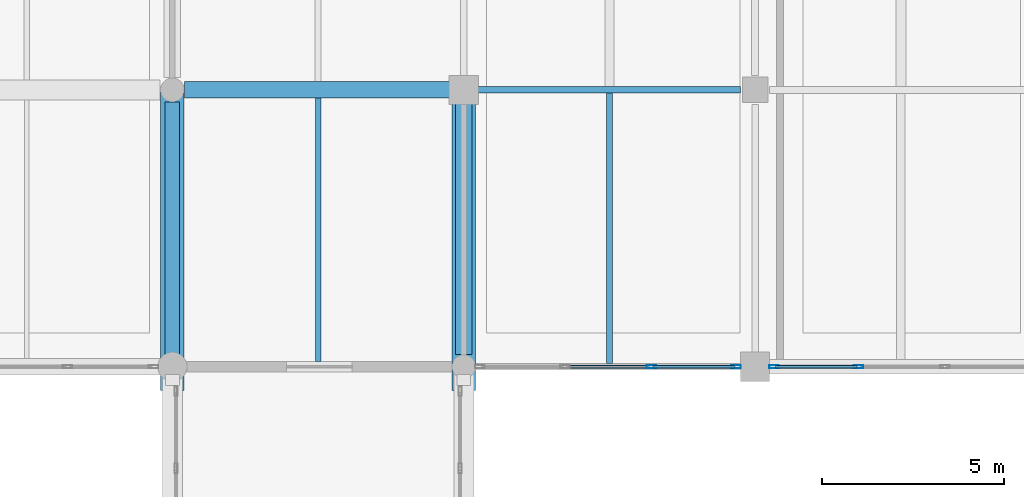
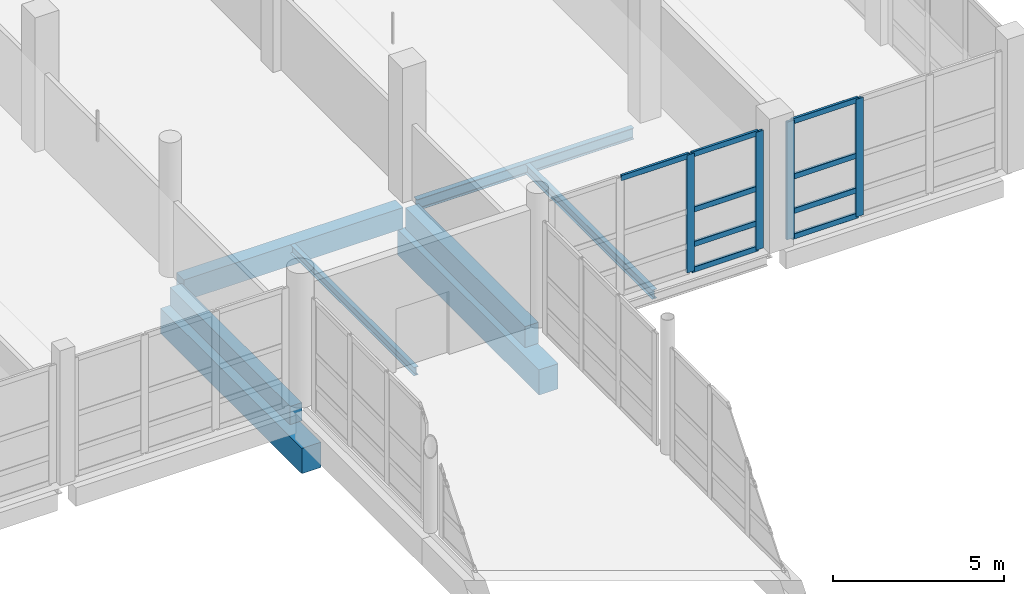
# One storey, part 60 of 147: 13 members, 8 beams, 2 elements without a shape of their own.
"""IFC4 building model written with IfcOpenShell, lengths in metres."""

from ifc_helpers import new_model, si_unit, direction, frame, origin, origin_2d, place, context, subcontext, project, spatial, rectangle, hollow_rectangle, i_section, extrude, material, material_profile, profile_set, type_object, element, aggregate, save


model = new_model("IFC4")

# Units and contexts
model_context = context("Model", 3, precision=1e-05, world=origin(), true_north=direction((0.0, 1.0)))
body_context = subcontext(model_context, "Body", "Model", "MODEL_VIEW")
ifc_project = project(units=[si_unit("LENGTHUNIT", "METRE"), si_unit("AREAUNIT", "SQUARE_METRE"), si_unit("VOLUMEUNIT", "CUBIC_METRE"), si_unit("PLANEANGLEUNIT", "RADIAN"), si_unit("MASSUNIT", "GRAM", prefix="KILO")], contexts=[model_context])

# Site, building, storey
site_placement = place(None, origin())
site = spatial("IfcSite", under=ifc_project, at=site_placement, CompositionType="ELEMENT")
building_placement = place(site_placement, origin())
building = spatial("IfcBuilding", under=site, at=building_placement, Name="Khelvaren Railside Concert Hall", CompositionType="ELEMENT")
storey_placement = place(building_placement, frame((0.0, 0.0, 5.39990234375)))
storey = spatial("IfcBuildingStorey", under=building, at=storey_placement, Name="L01", CompositionType="ELEMENT", Elevation=5.39990234375)

# Beams
ifc_material_1 = material(Name="Concrete C40/50", Category="concrete")
ifc_material_profile_1 = material_profile(ifc_material_1, rectangle(XDim=0.64990234375, YDim=0.89990234375, at=origin_2d()), Name="RCB 650x900")
ifc_profile_set_1 = profile_set([ifc_material_profile_1], Name="Concrete C40/50")
beam_type_1 = type_object("IfcBeamType", Name="BM18", PredefinedType="BEAM", material=ifc_profile_set_1)
for number, where, z_axis, x_axis, name in (
    (1, (160.0, 82.949951171875, -1.659912109375), (0.0, 1.0, 0.0), (-1.0, 0.0, 0.0), "East Backstage Artist Link Bridge L01 Seismic Corbel Seat 1"),
    (2, (168.0, 82.949951171875, -1.659912109375), (0.0, 1.0, 0.0), (-1.0, 0.0, 0.0), "East Backstage Artist Link Bridge L01 Seismic Corbel Seat 2"),
):
    element("IfcBeam", number, at=place(storey_placement, frame(where, z_axis=z_axis, x_axis=x_axis)), inside=storey, type_object=beam_type_1, Name=name, PredefinedType="BEAM", context=body_context, shape_type="SweptSolid", body=[
        extrude(rectangle(XDim=0.64990234375, YDim=0.89990234375, at=origin_2d()), origin(), (0.0, 0.0, 1.0), 8.25),
    ])
ifc_material_2 = material(Name="Steel S355", Category="steel")
ifc_material_profile_2 = material_profile(ifc_material_2, i_section(OverallWidth=0.179931640625, OverallDepth=0.39990234375, WebThickness=0.008544921875, FlangeThickness=0.013427734375, FilletRadius=0.02099609375, at=origin_2d()), Name="IPE 400")
ifc_profile_set_2 = profile_set([ifc_material_profile_2], Name="Steel S355")
beam_type_2 = type_object("IfcBeamType", Name="BM29", PredefinedType="BEAM", material=ifc_profile_set_2)
beam_1_placement = place(storey_placement, frame((168.27294921875, 91.199951171875, -0.5), z_axis=(1.0, 0.0, 0.0), x_axis=(0.0, 1.0, 0.0)))
element("IfcBeam", 3, at=beam_1_placement, inside=storey, type_object=beam_type_2, Name="V5 L01 Beam X2.6", PredefinedType="BEAM", context=body_context, shape_type="SweptSolid", body=[
    extrude(i_section(OverallWidth=0.179931640625, OverallDepth=0.39990234375, WebThickness=0.008544921875, FlangeThickness=0.013427734375, FilletRadius=0.02099609375, at=origin_2d()), origin(), (0.0, 0.0, 1.0), 7.3271484375),
])
ifc_material_profile_3 = material_profile(ifc_material_1, rectangle(XDim=0.39990234375, YDim=0.64990234375, at=origin_2d()), Name="RCB 400x650")
ifc_profile_set_3 = profile_set([ifc_material_profile_3], Name="Concrete C40/50")
beam_type_3 = type_object("IfcBeamType", Name="BM33", PredefinedType="BEAM", material=ifc_profile_set_3)
beam_2_placement = place(storey_placement, frame((160.0, 83.85009765625, -0.625), z_axis=(0.0, 1.0, 0.0), x_axis=(-1.0, 0.0, 0.0)))
element("IfcBeam", 4, at=beam_2_placement, inside=storey, type_object=beam_type_3, Name="V5 L01 Beam Y5.1", PredefinedType="BEAM", context=body_context, shape_type="SweptSolid", body=[
    extrude(rectangle(XDim=0.39990234375, YDim=0.64990234375, at=origin_2d()), origin(), (0.0, 0.0, 1.0), 7.013916015625),
])
ifc_material_profile_4 = material_profile(ifc_material_1, rectangle(XDim=0.449951171875, YDim=0.75, at=origin_2d()), Name="RCB 450x750")
ifc_profile_set_4 = profile_set([ifc_material_profile_4], Name="Concrete C40/50")
beam_type_4 = type_object("IfcBeamType", Name="BM83", PredefinedType="BEAM", material=ifc_profile_set_4)
beam_3_placement = place(storey_placement, frame((160.3359375, 91.199951171875, -0.6748046875), z_axis=(1.0, 0.0, 0.0), x_axis=(0.0, 1.0, 0.0)))
element("IfcBeam", 5, at=beam_3_placement, inside=storey, type_object=beam_type_4, Name="V5 L01 Beam X2.5", PredefinedType="BEAM", context=body_context, shape_type="SweptSolid", body=[
    extrude(rectangle(XDim=0.449951171875, YDim=0.75, at=origin_2d()), origin(), (0.0, 0.0, 1.0), 7.39111328125),
])
beam_4_placement = place(storey_placement, frame((168.0, 83.93603515625, -0.6748046875), z_axis=(0.0, 1.0, 0.0), x_axis=(-1.0, 0.0, 0.0)))
element("IfcBeam", 6, at=beam_4_placement, inside=storey, type_object=beam_type_4, Name="V5 L01 Beam Y6.1", PredefinedType="BEAM", context=body_context, shape_type="SweptSolid", body=[
    extrude(rectangle(XDim=0.449951171875, YDim=0.75, at=origin_2d()), origin(), (0.0, 0.0, 1.0), 6.990966796875),
])

# Curtain wall, members
ifc_material_3 = material(Name="Acoustic laminated crystal facade glass", Category="glass")
curtain_wall_type_1 = type_object("IfcCurtainWallType", Name="CW15", PredefinedType="USERDEFINED", material=ifc_material_3)
curtain_wall_1_placement = place(storey_placement, origin())
curtain_wall_1 = element("IfcCurtainWall", 7, at=curtain_wall_1_placement, inside=storey, type_object=curtain_wall_type_1, Name="Unitised Curtain Wall CW-V5-L01-S-168", ObjectType="UNITISED CURTAIN WALL", PredefinedType="USERDEFINED")
ifc_material_4 = material(Name="Anodised architectural aluminium 6063-T6", Category="aluminium")
ifc_material_profile_5 = material_profile(ifc_material_4, hollow_rectangle(XDim=0.0849609375, YDim=0.260009765625, WallThickness=0.0048828125, InnerFilletRadius=0.0029296875, OuterFilletRadius=0.0048828125, at=origin_2d()), Name="CWM 85x260x5")
ifc_profile_set_5 = profile_set([ifc_material_profile_5], Name="Anodised architectural aluminium 6063-T6")
member_type_1 = type_object("IfcMemberType", Name="CWM40", PredefinedType="MULLION", material=ifc_profile_set_5)
member_1_placement = place(storey_placement, frame((175.47998046875, 83.60009765625, 0.0), z_axis=(0.0, 0.0, 1.0), x_axis=(0.0, -1.0, 0.0)))
member_1 = element("IfcMember", 8, at=member_1_placement, type_object=member_type_1, Name="CW15 mullion 1", PredefinedType="MULLION", context=body_context, shape_type="SweptSolid", body=[
    extrude(hollow_rectangle(XDim=0.0849609375, YDim=0.260009765625, WallThickness=0.0048828125, InnerFilletRadius=0.0029296875, OuterFilletRadius=0.0048828125, at=origin_2d()), origin(), (0.0, 0.0, 1.0), 4.2001953125),
])
member_2_placement = place(storey_placement, frame((173.149169921875, 83.60009765625, 0.0), z_axis=(0.0, 0.0, 1.0), x_axis=(0.0, -1.0, 0.0)))
member_2 = element("IfcMember", 9, at=member_2_placement, type_object=member_type_1, Name="CW15 mullion 2", PredefinedType="MULLION", context=body_context, shape_type="SweptSolid", body=[
    extrude(hollow_rectangle(XDim=0.0849609375, YDim=0.260009765625, WallThickness=0.0048828125, InnerFilletRadius=0.0029296875, OuterFilletRadius=0.0048828125, at=origin_2d()), origin(), (0.0, 0.0, 1.0), 4.2001953125),
])

curtain_wall_type_2 = type_object("IfcCurtainWallType", Name="CW54", PredefinedType="USERDEFINED", material=ifc_material_3)
curtain_wall_2_placement = place(storey_placement, origin())
curtain_wall_2 = element("IfcCurtainWall", 10, at=curtain_wall_2_placement, inside=storey, type_object=curtain_wall_type_2, Name="Unitised Curtain Wall CW-V5-L01-S-176", ObjectType="UNITISED CURTAIN WALL", PredefinedType="USERDEFINED")
member_3_placement = place(storey_placement, frame((178.842529296875, 83.60009765625, 0.0), z_axis=(0.0, 0.0, 1.0), x_axis=(0.0, -1.0, 0.0)))
member_3 = element("IfcMember", 11, at=member_3_placement, type_object=member_type_1, Name="CW54 mullion 3", PredefinedType="MULLION", context=body_context, shape_type="SweptSolid", body=[
    extrude(hollow_rectangle(XDim=0.0849609375, YDim=0.260009765625, WallThickness=0.0048828125, InnerFilletRadius=0.0029296875, OuterFilletRadius=0.0048828125, at=origin_2d()), origin(), (0.0, 0.0, 1.0), 4.2001953125),
])
member_4_placement = place(storey_placement, frame((176.52001953125, 83.60009765625, 0.0), z_axis=(0.0, 0.0, 1.0), x_axis=(0.0, -1.0, 0.0)))
member_4 = element("IfcMember", 12, at=member_4_placement, type_object=member_type_1, Name="CW54 mullion 4", PredefinedType="MULLION", context=body_context, shape_type="SweptSolid", body=[
    extrude(hollow_rectangle(XDim=0.0849609375, YDim=0.260009765625, WallThickness=0.0048828125, InnerFilletRadius=0.0029296875, OuterFilletRadius=0.0048828125, at=origin_2d()), origin(), (0.0, 0.0, 1.0), 4.2001953125),
])

# Member
ifc_material_profile_6 = material_profile(ifc_material_4, hollow_rectangle(XDim=0.0849609375, YDim=0.18994140625, WallThickness=0.0048828125, InnerFilletRadius=0.0029296875, OuterFilletRadius=0.0048828125, at=origin_2d()), Name="CWT 85x190x5")
ifc_profile_set_6 = profile_set([ifc_material_profile_6], Name="Anodised architectural aluminium 6063-T6")
member_type_2 = type_object("IfcMemberType", Name="CWT31", PredefinedType="USERDEFINED", material=ifc_profile_set_6)
member_5_placement = place(storey_placement, frame((175.4375, 83.60009765625, 0.04248046875), z_axis=(-1.0, 0.0, 0.0), x_axis=(0.0, -1.0, 0.0)))
member_5 = element("IfcMember", 13, at=member_5_placement, type_object=member_type_2, Name="CW15 transom 1.1", ObjectType="TRANSOM", PredefinedType="USERDEFINED", context=body_context, shape_type="SweptSolid", body=[
    extrude(hollow_rectangle(XDim=0.0849609375, YDim=0.18994140625, WallThickness=0.0048828125, InnerFilletRadius=0.0029296875, OuterFilletRadius=0.0048828125, at=origin_2d()), origin(), (0.0, 0.0, 1.0), 2.245849609375),
])

member_6_placement = place(storey_placement, frame((175.4375, 83.60009765625, 0.9501953125), z_axis=(-1.0, 0.0, 0.0), x_axis=(0.0, -1.0, 0.0)))
member_6 = element("IfcMember", 14, at=member_6_placement, type_object=member_type_2, Name="CW15 transom 1.2", ObjectType="TRANSOM", PredefinedType="USERDEFINED", context=body_context, shape_type="SweptSolid", body=[
    extrude(hollow_rectangle(XDim=0.0849609375, YDim=0.18994140625, WallThickness=0.0048828125, InnerFilletRadius=0.0029296875, OuterFilletRadius=0.0048828125, at=origin_2d()), origin(), (0.0, 0.0, 1.0), 2.245849609375),
])

member_7_placement = place(storey_placement, frame((175.4375, 83.60009765625, 2.18408203125), z_axis=(-1.0, 0.0, 0.0), x_axis=(0.0, -1.0, 0.0)))
member_7 = element("IfcMember", 15, at=member_7_placement, type_object=member_type_2, Name="CW15 transom 1.3", ObjectType="TRANSOM", PredefinedType="USERDEFINED", context=body_context, shape_type="SweptSolid", body=[
    extrude(hollow_rectangle(XDim=0.0849609375, YDim=0.18994140625, WallThickness=0.0048828125, InnerFilletRadius=0.0029296875, OuterFilletRadius=0.0048828125, at=origin_2d()), origin(), (0.0, 0.0, 1.0), 2.245849609375),
])

member_8_placement = place(storey_placement, frame((175.4375, 83.60009765625, 4.15771484375), z_axis=(-1.0, 0.0, 0.0), x_axis=(0.0, -1.0, 0.0)))
member_8 = element("IfcMember", 16, at=member_8_placement, type_object=member_type_2, Name="CW15 transom 1.4", ObjectType="TRANSOM", PredefinedType="USERDEFINED", context=body_context, shape_type="SweptSolid", body=[
    extrude(hollow_rectangle(XDim=0.0849609375, YDim=0.18994140625, WallThickness=0.0048828125, InnerFilletRadius=0.0029296875, OuterFilletRadius=0.0048828125, at=origin_2d()), origin(), (0.0, 0.0, 1.0), 2.245849609375),
])

member_9_placement = place(storey_placement, frame((173.106689453125, 83.60009765625, 4.15771484375), z_axis=(-1.0, 0.0, 0.0), x_axis=(0.0, -1.0, 0.0)))
member_9 = element("IfcMember", 17, at=member_9_placement, type_object=member_type_2, Name="CW15 transom 2.4", ObjectType="TRANSOM", PredefinedType="USERDEFINED", context=body_context, shape_type="SweptSolid", body=[
    extrude(hollow_rectangle(XDim=0.0849609375, YDim=0.18994140625, WallThickness=0.0048828125, InnerFilletRadius=0.0029296875, OuterFilletRadius=0.0048828125, at=origin_2d()), origin(), (0.0, 0.0, 1.0), 2.288330078125),
])

aggregate(curtain_wall_1, [member_1, member_2, member_5, member_6, member_7, member_8, member_9])

member_10_placement = place(storey_placement, frame((178.800048828125, 83.60009765625, 0.04248046875), z_axis=(-1.0, 0.0, 0.0), x_axis=(0.0, -1.0, 0.0)))
member_10 = element("IfcMember", 18, at=member_10_placement, type_object=member_type_2, Name="CW54 transom 3.1", ObjectType="TRANSOM", PredefinedType="USERDEFINED", context=body_context, shape_type="SweptSolid", body=[
    extrude(hollow_rectangle(XDim=0.0849609375, YDim=0.18994140625, WallThickness=0.0048828125, InnerFilletRadius=0.0029296875, OuterFilletRadius=0.0048828125, at=origin_2d()), origin(), (0.0, 0.0, 1.0), 2.237548828125),
])

member_11_placement = place(storey_placement, frame((178.800048828125, 83.60009765625, 0.9501953125), z_axis=(-1.0, 0.0, 0.0), x_axis=(0.0, -1.0, 0.0)))
member_11 = element("IfcMember", 19, at=member_11_placement, type_object=member_type_2, Name="CW54 transom 3.2", ObjectType="TRANSOM", PredefinedType="USERDEFINED", context=body_context, shape_type="SweptSolid", body=[
    extrude(hollow_rectangle(XDim=0.0849609375, YDim=0.18994140625, WallThickness=0.0048828125, InnerFilletRadius=0.0029296875, OuterFilletRadius=0.0048828125, at=origin_2d()), origin(), (0.0, 0.0, 1.0), 2.237548828125),
])

member_12_placement = place(storey_placement, frame((178.800048828125, 83.60009765625, 2.18408203125), z_axis=(-1.0, 0.0, 0.0), x_axis=(0.0, -1.0, 0.0)))
member_12 = element("IfcMember", 20, at=member_12_placement, type_object=member_type_2, Name="CW54 transom 3.3", ObjectType="TRANSOM", PredefinedType="USERDEFINED", context=body_context, shape_type="SweptSolid", body=[
    extrude(hollow_rectangle(XDim=0.0849609375, YDim=0.18994140625, WallThickness=0.0048828125, InnerFilletRadius=0.0029296875, OuterFilletRadius=0.0048828125, at=origin_2d()), origin(), (0.0, 0.0, 1.0), 2.237548828125),
])

member_13_placement = place(storey_placement, frame((178.800048828125, 83.60009765625, 4.15771484375), z_axis=(-1.0, 0.0, 0.0), x_axis=(0.0, -1.0, 0.0)))
member_13 = element("IfcMember", 21, at=member_13_placement, type_object=member_type_2, Name="CW54 transom 3.4", ObjectType="TRANSOM", PredefinedType="USERDEFINED", context=body_context, shape_type="SweptSolid", body=[
    extrude(hollow_rectangle(XDim=0.0849609375, YDim=0.18994140625, WallThickness=0.0048828125, InnerFilletRadius=0.0029296875, OuterFilletRadius=0.0048828125, at=origin_2d()), origin(), (0.0, 0.0, 1.0), 2.237548828125),
])

aggregate(curtain_wall_2, [member_3, member_4, member_10, member_11, member_12, member_13])

# Beams
ifc_material_profile_7 = material_profile(ifc_material_2, i_section(OverallWidth=0.14990234375, OverallDepth=0.300048828125, WebThickness=0.007080078125, FlangeThickness=0.0107421875, FilletRadius=0.014892578125, at=origin_2d()), Name="IPE 300")
ifc_profile_set_7 = profile_set([ifc_material_profile_7], Name="Steel S355")
beam_type_5 = type_object("IfcBeamType", Name="JS26", PredefinedType="JOIST", material=ifc_profile_set_7)
beam_5_placement = place(storey_placement, frame((164.0, 83.75, -0.449951171875), z_axis=(0.0, 1.0, 0.0), x_axis=(-1.0, 0.0, 0.0)))
element("IfcBeam", 22, at=beam_5_placement, inside=storey, type_object=beam_type_5, Name="V5 L01 Secondary Joist 5.1", PredefinedType="JOIST", context=body_context, shape_type="SweptSolid", body=[
    extrude(i_section(OverallWidth=0.14990234375, OverallDepth=0.300048828125, WebThickness=0.007080078125, FlangeThickness=0.0107421875, FilletRadius=0.014892578125, at=origin_2d()), origin(), (0.0, 0.0, 1.0), 7.22509765625),
])
ifc_material_profile_8 = material_profile(ifc_material_2, i_section(OverallWidth=0.159912109375, OverallDepth=0.330078125, WebThickness=0.007568359375, FlangeThickness=0.011474609375, FilletRadius=0.01806640625, at=origin_2d()), Name="IPE 330")
ifc_profile_set_8 = profile_set([ifc_material_profile_8], Name="Steel S355")
beam_type_6 = type_object("IfcBeamType", Name="JS65", PredefinedType="JOIST", material=ifc_profile_set_8)
beam_6_placement = place(storey_placement, frame((172.0, 83.68505859375, -0.46484375), z_axis=(0.0, 1.0, 0.0), x_axis=(-1.0, 0.0, 0.0)))
element("IfcBeam", 23, at=beam_6_placement, inside=storey, type_object=beam_type_6, Name="V5 L01 Secondary Joist 6.1", PredefinedType="JOIST", context=body_context, shape_type="SweptSolid", body=[
    extrude(i_section(OverallWidth=0.159912109375, OverallDepth=0.330078125, WebThickness=0.007568359375, FlangeThickness=0.011474609375, FilletRadius=0.01806640625, at=origin_2d()), origin(), (0.0, 0.0, 1.0), 7.425048828125),
])

save(model, "model.ifc")
